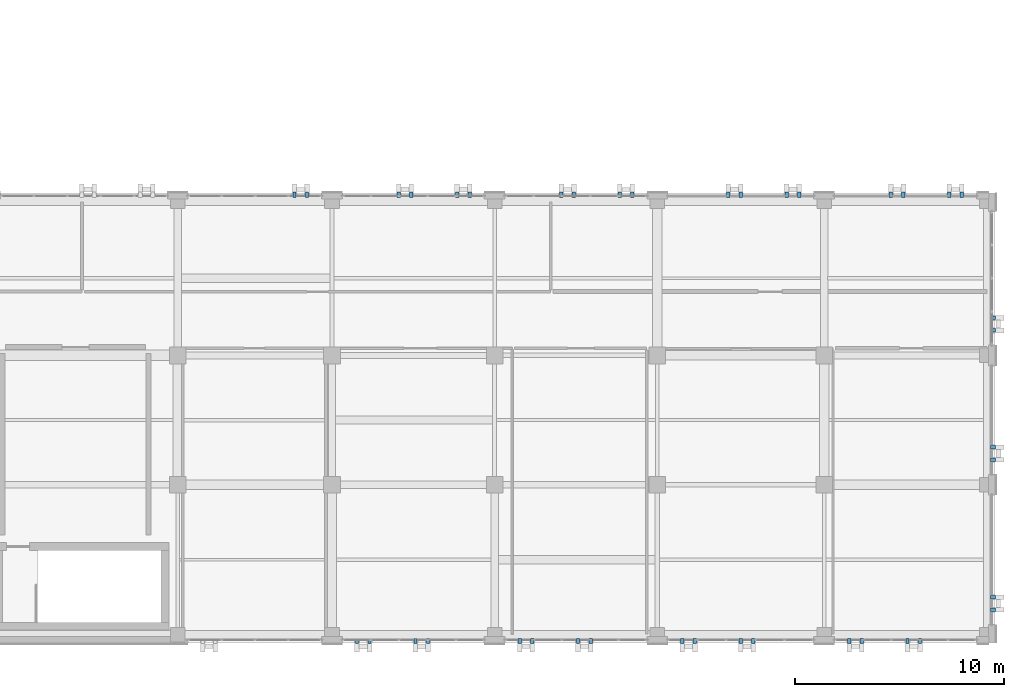
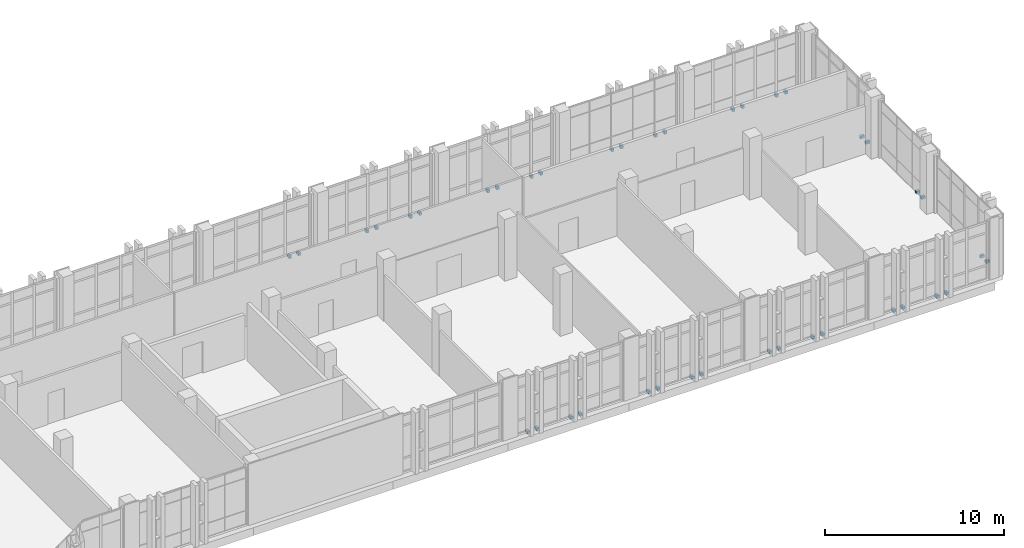
# One storey, part 171 of 193: 40 discrete accessories.
"""IFC4 building model written with IfcOpenShell, lengths in metres."""

from ifc_helpers import new_model, si_unit, direction, frame, origin, origin_2d, place, context, subcontext, project, spatial, rectangle, extrude, material, type_object, element, save


model = new_model("IFC4")

# Units and contexts
model_context = context("Model", 3, precision=1e-05, world=origin(), true_north=direction((0.0, 1.0)))
body_context = subcontext(model_context, "Body", "Model", "MODEL_VIEW")
ifc_project = project(units=[si_unit("LENGTHUNIT", "METRE"), si_unit("AREAUNIT", "SQUARE_METRE"), si_unit("VOLUMEUNIT", "CUBIC_METRE"), si_unit("PLANEANGLEUNIT", "RADIAN"), si_unit("MASSUNIT", "GRAM", prefix="KILO")], contexts=[model_context])

# Site, building, storey
site_placement = place(None, origin())
site = spatial("IfcSite", under=ifc_project, at=site_placement, CompositionType="ELEMENT")
building_placement = place(site_placement, origin())
building = spatial("IfcBuilding", under=site, at=building_placement, Name="Qalavern Law Courts", CompositionType="ELEMENT")
storey_placement = place(building_placement, frame((0.0, 0.0, 10.199951171875)))
storey = spatial("IfcBuildingStorey", under=building, at=storey_placement, Name="L02", CompositionType="ELEMENT", Elevation=10.199951171875)

# Discrete accessories
ifc_material = material(Name="Steel S355", Category="steel")
discrete_accessory_type = type_object("IfcDiscreteAccessoryType", Name="ENV-BRK-FIN", PredefinedType="BRACKET", material=ifc_material)
for number, where, z_axis, x_axis, name in (
    (1, (135.39990234375, 1.094970703125, -0.06982421875), (0.0, 0.0, 1.0), (0.0, -1.0, 0.0), "Stone blade anchor bracket 1267"),
    (2, (136.0, 1.094970703125, -0.06982421875), (0.0, 0.0, 1.0), (0.0, -1.0, 0.0), "Stone blade anchor bracket 1268"),
    (3, (138.199951171875, 1.094970703125, -0.06982421875), (0.0, 0.0, 1.0), (0.0, -1.0, 0.0), "Stone blade anchor bracket 1269"),
    (4, (138.800048828125, 1.094970703125, -0.06982421875), (0.0, 0.0, 1.0), (0.0, -1.0, 0.0), "Stone blade anchor bracket 1270"),
    (5, (143.199951171875, 1.094970703125, -0.06982421875), (0.0, 0.0, 1.0), (0.0, -1.0, 0.0), "Stone blade anchor bracket 1271"),
    (6, (143.800048828125, 1.094970703125, -0.06982421875), (0.0, 0.0, 1.0), (0.0, -1.0, 0.0), "Stone blade anchor bracket 1272"),
    (7, (146.0, 1.094970703125, -0.06982421875), (0.0, 0.0, 1.0), (0.0, -1.0, 0.0), "Stone blade anchor bracket 1273"),
    (8, (146.60009765625, 1.094970703125, -0.06982421875), (0.0, 0.0, 1.0), (0.0, -1.0, 0.0), "Stone blade anchor bracket 1274"),
    (9, (151.0, 1.094970703125, -0.06982421875), (0.0, 0.0, 1.0), (0.0, -1.0, 0.0), "Stone blade anchor bracket 1275"),
    (10, (151.60009765625, 1.094970703125, -0.06982421875), (0.0, 0.0, 1.0), (0.0, -1.0, 0.0), "Stone blade anchor bracket 1276"),
    (11, (153.800048828125, 1.094970703125, -0.06982421875), (0.0, 0.0, 1.0), (0.0, -1.0, 0.0), "Stone blade anchor bracket 1277"),
    (12, (154.39990234375, 1.094970703125, -0.06982421875), (0.0, 0.0, 1.0), (0.0, -1.0, 0.0), "Stone blade anchor bracket 1278"),
    (13, (159.0, 1.094970703125, -0.06982421875), (0.0, 0.0, 1.0), (0.0, -1.0, 0.0), "Stone blade anchor bracket 1279"),
    (14, (159.60009765625, 1.094970703125, -0.06982421875), (0.0, 0.0, 1.0), (0.0, -1.0, 0.0), "Stone blade anchor bracket 1280"),
    (15, (161.800048828125, 1.094970703125, -0.06982421875), (0.0, 0.0, 1.0), (0.0, -1.0, 0.0), "Stone blade anchor bracket 1281"),
    (16, (162.39990234375, 1.094970703125, -0.06982421875), (0.0, 0.0, 1.0), (0.0, -1.0, 0.0), "Stone blade anchor bracket 1282"),
    (17, (165.905029296875, 2.60009765625, -0.06982421875), (0.0, 0.0, 1.0), (1.0, 0.0, 0.0), "Stone blade anchor bracket 1283"),
    (18, (165.905029296875, 3.199951171875, -0.06982421875), (0.0, 0.0, 1.0), (1.0, 0.0, 0.0), "Stone blade anchor bracket 1284"),
    (19, (165.905029296875, 9.800048828125, -0.06982421875), (0.0, 0.0, 1.0), (1.0, 0.0, 0.0), "Stone blade anchor bracket 1285"),
    (20, (165.905029296875, 10.39990234375, -0.06982421875), (0.0, 0.0, 1.0), (1.0, 0.0, 0.0), "Stone blade anchor bracket 1286"),
    (21, (165.905029296875, 16.0, -0.06982421875), (0.0, 0.0, 1.0), (1.0, 0.0, 0.0), "Stone blade anchor bracket 1287"),
    (22, (165.905029296875, 16.60009765625, -0.06982421875), (0.0, 0.0, 1.0), (1.0, 0.0, 0.0), "Stone blade anchor bracket 1288"),
    (23, (164.39990234375, 22.5048828125, -0.06982421875), (0.0, 0.0, 1.0), (0.0, 1.0, 0.0), "Stone blade anchor bracket 1289"),
    (24, (163.800048828125, 22.5048828125, -0.06982421875), (0.0, 0.0, 1.0), (0.0, 1.0, 0.0), "Stone blade anchor bracket 1290"),
    (25, (161.60009765625, 22.5048828125, -0.06982421875), (0.0, 0.0, 1.0), (0.0, 1.0, 0.0), "Stone blade anchor bracket 1291"),
    (26, (161.0, 22.5048828125, -0.06982421875), (0.0, 0.0, 1.0), (0.0, 1.0, 0.0), "Stone blade anchor bracket 1292"),
    (27, (156.60009765625, 22.5048828125, -0.06982421875), (0.0, 0.0, 1.0), (0.0, 1.0, 0.0), "Stone blade anchor bracket 1293"),
    (28, (156.0, 22.5048828125, -0.06982421875), (0.0, 0.0, 1.0), (0.0, 1.0, 0.0), "Stone blade anchor bracket 1294"),
    (29, (153.800048828125, 22.5048828125, -0.06982421875), (0.0, 0.0, 1.0), (0.0, 1.0, 0.0), "Stone blade anchor bracket 1295"),
    (30, (153.199951171875, 22.5048828125, -0.06982421875), (0.0, 0.0, 1.0), (0.0, 1.0, 0.0), "Stone blade anchor bracket 1296"),
    (31, (148.60009765625, 22.5048828125, -0.06982421875), (0.0, 0.0, 1.0), (0.0, 1.0, 0.0), "Stone blade anchor bracket 1297"),
    (32, (148.0, 22.5048828125, -0.06982421875), (0.0, 0.0, 1.0), (0.0, 1.0, 0.0), "Stone blade anchor bracket 1298"),
    (33, (145.800048828125, 22.5048828125, -0.06982421875), (0.0, 0.0, 1.0), (0.0, 1.0, 0.0), "Stone blade anchor bracket 1299"),
    (34, (145.199951171875, 22.5048828125, -0.06982421875), (0.0, 0.0, 1.0), (0.0, 1.0, 0.0), "Stone blade anchor bracket 1300"),
    (35, (140.800048828125, 22.5048828125, -0.06982421875), (0.0, 0.0, 1.0), (0.0, 1.0, 0.0), "Stone blade anchor bracket 1301"),
    (36, (140.199951171875, 22.5048828125, -0.06982421875), (0.0, 0.0, 1.0), (0.0, 1.0, 0.0), "Stone blade anchor bracket 1302"),
    (37, (138.0, 22.5048828125, -0.06982421875), (0.0, 0.0, 1.0), (0.0, 1.0, 0.0), "Stone blade anchor bracket 1303"),
    (38, (137.39990234375, 22.5048828125, -0.06982421875), (0.0, 0.0, 1.0), (0.0, 1.0, 0.0), "Stone blade anchor bracket 1304"),
    (39, (133.0, 22.5048828125, -0.06982421875), (0.0, 0.0, 1.0), (0.0, 1.0, 0.0), "Stone blade anchor bracket 1305"),
    (40, (132.39990234375, 22.5048828125, -0.06982421875), (0.0, 0.0, 1.0), (0.0, 1.0, 0.0), "Stone blade anchor bracket 1306"),
):
    element("IfcDiscreteAccessory", number, at=place(storey_placement, frame(where, z_axis=z_axis, x_axis=x_axis)), inside=storey, type_object=discrete_accessory_type, Name=name, PredefinedType="BRACKET", context=body_context, shape_type="SweptSolid", body=[
        extrude(rectangle(XDim=0.239990234375, YDim=0.159912109375, at=origin_2d()), origin(), (0.0, 0.0, 1.0), 0.179931640625),
    ])

save(model, "model.ifc")
